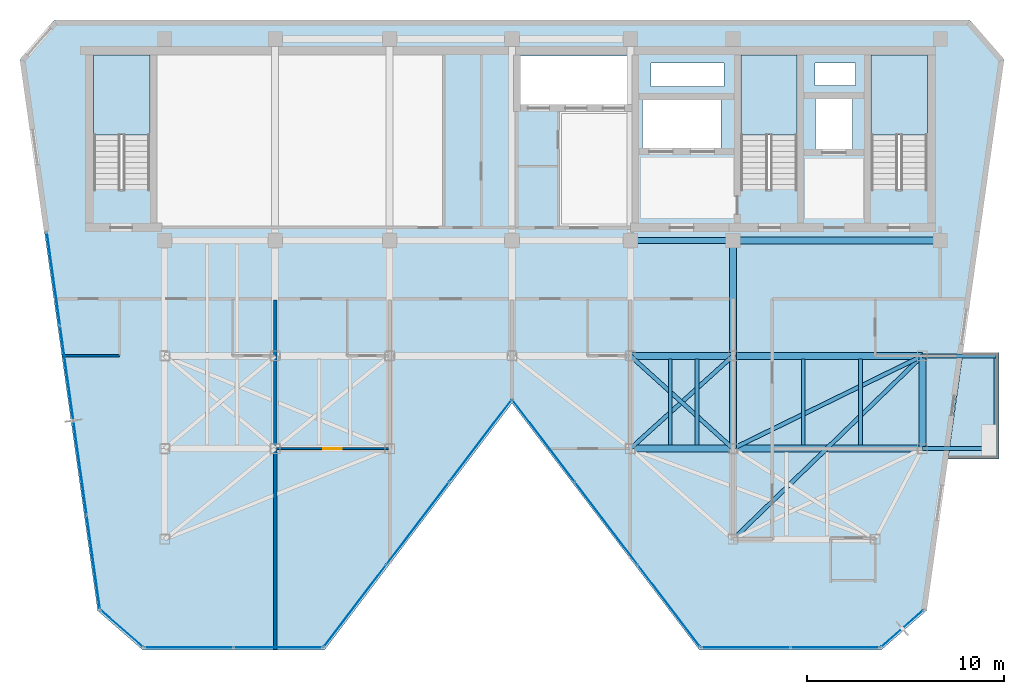
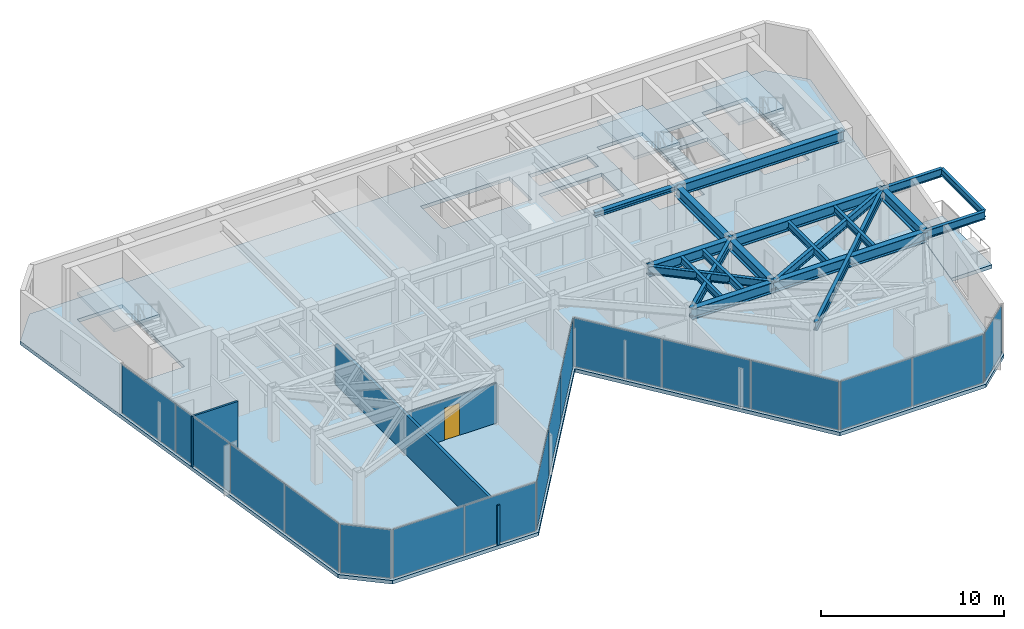
# One storey, part 15 of 20: 20 beams, 16 plates, 5 slabs, 3 walls, 1 door, 1 opening, 10 elements without a shape of their own.
"""IFC4 building model written with IfcOpenShell, lengths in metres."""

from ifc_helpers import new_model, si_unit, direction, frame, frame_2d, origin, origin_2d, place, context, subcontext, project, spatial, polyline, rectangle, i_section, outline, extrude, material, layer, layer_set, material_profile, profile_set, type_object, element, fill, aggregate, save


model = new_model("IFC4")

# Units and contexts
model_context = context("Model", 3, precision=1e-05, world=origin(), true_north=direction((0.0, 1.0)))
body_context = subcontext(model_context, "Body", "Model", "MODEL_VIEW")
ifc_project = project(units=[si_unit("LENGTHUNIT", "METRE"), si_unit("AREAUNIT", "SQUARE_METRE"), si_unit("VOLUMEUNIT", "CUBIC_METRE"), si_unit("PLANEANGLEUNIT", "RADIAN"), si_unit("MASSUNIT", "GRAM", prefix="KILO")], contexts=[model_context])

# Site, building, storey
site_placement = place(None, origin())
site = spatial("IfcSite", under=ifc_project, at=site_placement, CompositionType="ELEMENT")
building_placement = place(site_placement, origin())
building = spatial("IfcBuilding", under=site, at=building_placement, Name="Kravanh Interchange Tower", CompositionType="ELEMENT")
storey_placement = place(building_placement, frame((0.0, 0.0, 238.199951171875)))
storey = spatial("IfcBuildingStorey", under=building, at=storey_placement, Name="L57", CompositionType="ELEMENT", Elevation=238.199951171875)

# Beams
ifc_material_1 = material(Name="Structural Steel S355", Category="steel")
ifc_material_profile_1 = material_profile(ifc_material_1, i_section(OverallWidth=0.35498046875, OverallDepth=0.696044921875, WebThickness=0.015380859375, FlangeThickness=0.02490234375, FilletRadius=0.02392578125, at=origin_2d()), Name="W27X146")
ifc_profile_set_1 = profile_set([ifc_material_profile_1], Name="Structural Steel S355")
beam_type_1 = type_object("IfcBeamType", Name="Floor Beam W27X146 Structural Steel S355", PredefinedType="BEAM", material=ifc_profile_set_1)
beam_1_placement = place(storey_placement, frame((50.800048828125, 31.5, 3.011962890625), z_axis=(1.0, 0.0, 0.0), x_axis=(0.0, 1.0, 0.0)))
element("IfcBeam", 1, at=beam_1_placement, inside=storey, type_object=beam_type_1, Name="L57 Primary Floor Girder 6", PredefinedType="BEAM", context=body_context, shape_type="SweptSolid", body=[
    extrude(i_section(OverallWidth=0.35498046875, OverallDepth=0.696044921875, WebThickness=0.015380859375, FlangeThickness=0.02490234375, FilletRadius=0.02392578125, at=origin_2d()), origin(), (0.0, 0.0, 1.0), 5.199951171875),
])
beam_2_placement = place(storey_placement, frame((56.0, 31.5, 3.011962890625), z_axis=(0.0, -1.0, 0.0), x_axis=(1.0, 0.0, 0.0)))
element("IfcBeam", 2, at=beam_2_placement, inside=storey, type_object=beam_type_1, Name="L57 Primary Floor Girder 9", PredefinedType="BEAM", context=body_context, shape_type="SweptSolid", body=[
    extrude(i_section(OverallWidth=0.35498046875, OverallDepth=0.696044921875, WebThickness=0.015380859375, FlangeThickness=0.02490234375, FilletRadius=0.02392578125, at=origin_2d()), origin(), (0.0, 0.0, 1.0), 4.699951171875),
])
beam_3_placement = place(storey_placement, frame((56.0, 31.5, 3.011962890625), z_axis=(0.0, 1.0, 0.0), x_axis=(-1.0, 0.0, 0.0)))
element("IfcBeam", 3, at=beam_3_placement, inside=storey, type_object=beam_type_1, Name="L57 Primary Floor Girder 10", PredefinedType="BEAM", context=body_context, shape_type="SweptSolid", body=[
    extrude(i_section(OverallWidth=0.35498046875, OverallDepth=0.696044921875, WebThickness=0.015380859375, FlangeThickness=0.02490234375, FilletRadius=0.02392578125, at=origin_2d()), origin(), (0.0, 0.0, 1.0), 5.85009765625),
])
beam_4_placement = place(storey_placement, frame((56.0, 31.5, 3.011962890625), z_axis=(1.0, 0.0, 0.0), x_axis=(0.0, 1.0, 0.0)))
element("IfcBeam", 4, at=beam_4_placement, inside=storey, type_object=beam_type_1, Name="L57 Primary Floor Girder 12", PredefinedType="BEAM", context=body_context, shape_type="SweptSolid", body=[
    extrude(i_section(OverallWidth=0.35498046875, OverallDepth=0.696044921875, WebThickness=0.015380859375, FlangeThickness=0.02490234375, FilletRadius=0.02392578125, at=origin_2d()), origin(), (0.0, 0.0, 1.0), 9.60009765625),
])
beam_5_placement = place(storey_placement, frame((65.60009765625, 31.5, 3.011962890625), z_axis=(0.0, -1.0, 0.0), x_axis=(1.0, 0.0, 0.0)))
element("IfcBeam", 5, at=beam_5_placement, inside=storey, type_object=beam_type_1, Name="L57 Primary Floor Girder 13", PredefinedType="BEAM", context=body_context, shape_type="SweptSolid", body=[
    extrude(i_section(OverallWidth=0.35498046875, OverallDepth=0.696044921875, WebThickness=0.015380859375, FlangeThickness=0.02490234375, FilletRadius=0.02392578125, at=origin_2d()), origin(), (0.0, 0.0, 1.0), 4.699951171875),
])
beam_6_placement = place(storey_placement, frame((50.800048828125, 26.800048828125, 3.011962890625), z_axis=(1.0, 0.0, 0.0), x_axis=(0.0, 1.0, 0.0)))
element("IfcBeam", 6, at=beam_6_placement, inside=storey, type_object=beam_type_1, Name="L57 Primary Floor Girder 31", PredefinedType="BEAM", context=body_context, shape_type="SweptSolid", body=[
    extrude(i_section(OverallWidth=0.35498046875, OverallDepth=0.696044921875, WebThickness=0.015380859375, FlangeThickness=0.02490234375, FilletRadius=0.02392578125, at=origin_2d()), origin(), (0.0, 0.0, 1.0), 5.199951171875),
])
beam_7_placement = place(storey_placement, frame((56.0, 26.800048828125, 3.011962890625), z_axis=(1.0, 0.0, 0.0), x_axis=(0.0, 1.0, 0.0)))
element("IfcBeam", 7, at=beam_7_placement, inside=storey, type_object=beam_type_1, Name="L57 Primary Floor Girder 36", PredefinedType="BEAM", context=body_context, shape_type="SweptSolid", body=[
    extrude(i_section(OverallWidth=0.35498046875, OverallDepth=0.696044921875, WebThickness=0.015380859375, FlangeThickness=0.02490234375, FilletRadius=0.02392578125, at=origin_2d()), origin(), (0.0, 0.0, 1.0), 9.60009765625),
])
beam_8_placement = place(storey_placement, frame((66.5, 37.35009765625, 3.011962890625), z_axis=(-1.0, 0.0, 0.0), x_axis=(0.0, -1.0, 0.0)))
element("IfcBeam", 8, at=beam_8_placement, inside=storey, type_object=beam_type_1, Name="L57 Primary Floor Girder 47", PredefinedType="BEAM", context=body_context, shape_type="SweptSolid", body=[
    extrude(i_section(OverallWidth=0.35498046875, OverallDepth=0.696044921875, WebThickness=0.015380859375, FlangeThickness=0.02490234375, FilletRadius=0.02392578125, at=origin_2d()), origin(), (0.0, 0.0, 1.0), 10.5),
])
ifc_material_2 = material(Name="Structural Steel S355", Category="steel")
ifc_material_profile_2 = material_profile(ifc_material_2, i_section(OverallWidth=0.18994140625, OverallDepth=0.45703125, WebThickness=0.009033203125, FlangeThickness=0.014404296875, FilletRadius=0.01806640625, at=origin_2d()), Name="W18X50")
ifc_profile_set_2 = profile_set([ifc_material_profile_2], Name="Structural Steel S355")
beam_type_2 = type_object("IfcBeamType", Name="Floor Joist W18X50 Structural Steel S355", PredefinedType="JOIST", material=ifc_profile_set_2)
for number, where, z_axis, x_axis, name in (
    (9, (52.81494140625, 26.972412109375, 3.131591796875), (0.0, 1.0, 0.0), (-1.0, 0.0, 0.0), "L57 Secondary Floor Joist 7"),
    (10, (54.179931640625, 26.972412109375, 3.131591796875), (0.0, 1.0, 0.0), (-1.0, 0.0, 0.0), "L57 Secondary Floor Joist 8"),
    (11, (59.554931640625, 26.972412109375, 3.131591796875), (0.0, 1.0, 0.0), (-1.0, 0.0, 0.0), "L57 Secondary Floor Joist 9"),
    (12, (62.4599609375, 26.972412109375, 3.131591796875), (0.0, 1.0, 0.0), (-1.0, 0.0, 0.0), "L57 Secondary Floor Joist 10"),
):
    element("IfcBeam", number, at=place(storey_placement, frame(where, z_axis=z_axis, x_axis=x_axis)), inside=storey, type_object=beam_type_2, Name=name, PredefinedType="JOIST", context=body_context, shape_type="SweptSolid", body=[
        extrude(i_section(OverallWidth=0.18994140625, OverallDepth=0.45703125, WebThickness=0.009033203125, FlangeThickness=0.014404296875, FilletRadius=0.01806640625, at=origin_2d()), origin(), (0.0, 0.0, 1.0), 4.35498046875),
    ])
beam_9_placement = place(storey_placement, frame((69.330078125, 26.800048828125, 3.131591796875), z_axis=(0.0, 1.0, 0.0), x_axis=(-1.0, 0.0, 0.0)))
element("IfcBeam", 13, at=beam_9_placement, inside=storey, type_object=beam_type_2, Name="L57 Balcony Edge Tie Beam E", PredefinedType="JOIST", context=body_context, shape_type="SweptSolid", body=[
    extrude(i_section(OverallWidth=0.18994140625, OverallDepth=0.45703125, WebThickness=0.009033203125, FlangeThickness=0.014404296875, FilletRadius=0.01806640625, at=origin_2d()), origin(), (0.0, 0.0, 1.0), 4.699951171875),
])
ifc_material_3 = material(Name="Structural Steel S355", Category="steel")
ifc_material_profile_3 = material_profile(ifc_material_3, i_section(OverallWidth=0.304931640625, OverallDepth=0.306884765625, WebThickness=0.010009765625, FlangeThickness=0.015380859375, FilletRadius=0.014892578125, at=origin_2d()), Name="W12X65")
ifc_profile_set_3 = profile_set([ifc_material_profile_3], Name="Structural Steel S355")
beam_type_3 = type_object("IfcBeamType", Name="Floor Lintel W12X65 Structural Steel S355", PredefinedType="LINTEL", material=ifc_profile_set_3)
beam_10_placement = place(storey_placement, frame((50.800048828125, 37.35009765625, 3.20654296875), z_axis=(1.0, 0.0, 0.0), x_axis=(0.0, 1.0, 0.0)))
element("IfcBeam", 14, at=beam_10_placement, inside=storey, type_object=beam_type_3, Name="L57 Core Coupling Lintel 1", PredefinedType="LINTEL", context=body_context, shape_type="SweptSolid", body=[
    extrude(i_section(OverallWidth=0.304931640625, OverallDepth=0.306884765625, WebThickness=0.010009765625, FlangeThickness=0.015380859375, FilletRadius=0.014892578125, at=origin_2d()), origin(), (0.0, 0.0, 1.0), 5.199951171875),
])
ifc_material_4 = material(Name="Structural Steel S355", Category="steel")
ifc_material_profile_4 = material_profile(ifc_material_4, i_section(OverallWidth=0.2099609375, OverallDepth=0.537109375, WebThickness=0.010986328125, FlangeThickness=0.017333984375, FilletRadius=0.02001953125, at=origin_2d()), Name="W21X68")
ifc_profile_set_4 = profile_set([ifc_material_profile_4], Name="Structural Steel S355")
beam_type_4 = type_object("IfcBeamType", Name="Floor Spandrel W21X68 Structural Steel S355", PredefinedType="SPANDREL", material=ifc_profile_set_4)
for number, where, z_axis, x_axis, name in (
    (15, (50.800048828125, 31.5, 3.091552734375), (0.741874009795, -0.670539300557, 0.0), (0.670539300557, 0.741874009795, 0.0), "L57 Perimeter Spandrel 8"),
    (16, (56.0, 31.5, 3.091552734375), (-0.741874009795, -0.670539300557, 0.0), (0.670539300557, -0.741874009795, 0.0), "L57 Perimeter Spandrel 11"),
):
    element("IfcBeam", number, at=place(storey_placement, frame(where, z_axis=z_axis, x_axis=x_axis)), inside=storey, type_object=beam_type_4, Name=name, PredefinedType="SPANDREL", context=body_context, shape_type="SweptSolid", body=[
        extrude(i_section(OverallWidth=0.2099609375, OverallDepth=0.537109375, WebThickness=0.010986328125, FlangeThickness=0.017333984375, FilletRadius=0.02001953125, at=origin_2d()), origin(), (0.0, 0.0, 1.0), 7.00927734375),
    ])
beam_11_placement = place(storey_placement, frame((65.60009765625, 31.5, 3.091552734375), z_axis=(-0.898141688387, -0.439706160499, 0.0), x_axis=(0.439706160499, -0.898141688387, 0.0)))
element("IfcBeam", 17, at=beam_11_placement, inside=storey, type_object=beam_type_4, Name="L57 Perimeter Spandrel 15", PredefinedType="SPANDREL", context=body_context, shape_type="SweptSolid", body=[
    extrude(i_section(OverallWidth=0.2099609375, OverallDepth=0.537109375, WebThickness=0.010986328125, FlangeThickness=0.017333984375, FilletRadius=0.02001953125, at=origin_2d()), origin(), (0.0, 0.0, 1.0), 10.68896484375),
])
beam_12_placement = place(storey_placement, frame((65.60009765625, 31.5, 3.091552734375), z_axis=(-0.718241934329, -0.695793449072, 0.0), x_axis=(0.695793449072, -0.718241934329, 0.0)))
element("IfcBeam", 18, at=beam_12_placement, inside=storey, type_object=beam_type_4, Name="L57 Perimeter Spandrel 16", PredefinedType="SPANDREL", context=body_context, shape_type="SweptSolid", body=[
    extrude(i_section(OverallWidth=0.2099609375, OverallDepth=0.537109375, WebThickness=0.010986328125, FlangeThickness=0.017333984375, FilletRadius=0.02001953125, at=origin_2d()), origin(), (0.0, 0.0, 1.0), 13.3662109375),
])
for number, where, z_axis, x_axis, name in (
    (19, (65.60009765625, 26.800048828125, 3.091552734375), (1.0, 0.0, 0.0), (0.0, 1.0, 0.0), "L57 Balcony Cantilever Outrigger E1"),
    (20, (65.60009765625, 31.5, 3.091552734375), (1.0, 0.0, 0.0), (0.0, 1.0, 0.0), "L57 Balcony Cantilever Outrigger E2"),
):
    element("IfcBeam", number, at=place(storey_placement, frame(where, z_axis=z_axis, x_axis=x_axis)), inside=storey, type_object=beam_type_4, Name=name, PredefinedType="SPANDREL", context=body_context, shape_type="SweptSolid", body=[
        extrude(i_section(OverallWidth=0.2099609375, OverallDepth=0.537109375, WebThickness=0.010986328125, FlangeThickness=0.017333984375, FilletRadius=0.02001953125, at=origin_2d()), origin(), (0.0, 0.0, 1.0), 3.72998046875),
    ])

# Curtain wall, plates
ifc_material_5 = material(Name="Anodised Bronze Aluminium", Category="aluminium")
ifc_layer_1 = layer(ifc_material_5, 0.179931640625)
ifc_layer_set_1 = layer_set([ifc_layer_1], Name="Unitised Curtain Wall System CW-HTL Luxury Hotel")
curtain_wall_type = type_object("IfcCurtainWallType", Name="Unitised Curtain Wall System CW-HTL Luxury Hotel", PredefinedType="NOTDEFINED", material=ifc_layer_set_1)
curtain_wall_1_placement = place(storey_placement, origin())
curtain_wall_1 = element("IfcCurtainWall", 21, at=curtain_wall_1_placement, inside=storey, type_object=curtain_wall_type, Name="L57 Unitised Curtain Wall CW-L57-01", PredefinedType="NOTDEFINED")
ifc_material_6 = material(Name="Low-E Laminated Architectural Glass", Category="glass")
ifc_layer_2 = layer(ifc_material_6, 0.030029296875)
ifc_layer_set_2 = layer_set([ifc_layer_2], Name="Acoustic Laminated Glazing 30mm")
plate_type = type_object("IfcPlateType", Name="Acoustic Laminated Glazing 30mm", PredefinedType="CURTAIN_PANEL", material=ifc_layer_set_2)
plate_1_placement = place(storey_placement, frame((23.578857421875, 21.05126953125, 0.06005859375), z_axis=(0.0, 0.0, 1.0), x_axis=(-0.13917626751, 0.990267623707, 0.0)))
plate_1 = element("IfcPlate", 22, at=plate_1_placement, type_object=plate_type, Name="CW-HTL panel 1.1", PredefinedType="CURTAIN_PANEL", context=body_context, shape_type="SweptSolid", body=[
    extrude(rectangle(XDim=4.74658203125, YDim=0.030029296875, at=origin_2d()), origin(), (0.0, 0.0, 1.0), 3.239990234375),
])
plate_2_placement = place(storey_placement, frame((22.90771484375, 25.825927734375, 0.06005859375), z_axis=(0.0, 0.0, 1.0), x_axis=(-0.13917626751, 0.990267623707, 0.0)))
plate_2 = element("IfcPlate", 23, at=plate_2_placement, type_object=plate_type, Name="CW-HTL panel 2.1", PredefinedType="CURTAIN_PANEL", context=body_context, shape_type="SweptSolid", body=[
    extrude(rectangle(XDim=4.776611328125, YDim=0.030029296875, at=origin_2d()), origin(), (0.0, 0.0, 1.0), 3.239990234375),
])
plate_3_placement = place(storey_placement, frame((22.234619140625, 30.615478515625, 0.06005859375), z_axis=(0.0, 0.0, 1.0), x_axis=(-0.13917626751, 0.990267623707, 0.0)))
plate_3 = element("IfcPlate", 24, at=plate_3_placement, type_object=plate_type, Name="CW-HTL panel 3.1", PredefinedType="CURTAIN_PANEL", context=body_context, shape_type="SweptSolid", body=[
    extrude(rectangle(XDim=4.776611328125, YDim=0.030029296875, at=origin_2d()), origin(), (0.0, 0.0, 1.0), 3.239990234375),
])
plate_4_placement = place(storey_placement, frame((21.5634765625, 35.390380859375, 0.06005859375), z_axis=(0.0, 0.0, 1.0), x_axis=(-0.13917626751, 0.990267623707, 0.0)))
plate_4 = element("IfcPlate", 25, at=plate_4_placement, type_object=plate_type, Name="CW-HTL panel 4.1", PredefinedType="CURTAIN_PANEL", context=body_context, shape_type="SweptSolid", body=[
    extrude(rectangle(XDim=4.74658203125, YDim=0.030029296875, at=origin_2d()), origin(), (0.0, 0.0, 1.0), 3.239990234375),
])
aggregate(curtain_wall_1, [plate_1, plate_2, plate_3, plate_4])

# Curtain wall, plate
curtain_wall_2_placement = place(storey_placement, origin())
curtain_wall_2 = element("IfcCurtainWall", 26, at=curtain_wall_2_placement, inside=storey, type_object=curtain_wall_type, Name="L57 Unitised Curtain Wall CW-L57-02", PredefinedType="NOTDEFINED")
plate_5_placement = place(storey_placement, frame((64.5771484375, 17.680908203125, 0.06005859375), z_axis=(0.0, 0.0, 1.0), x_axis=(-0.75473192521, -0.656033323139, 0.0)))
plate_5 = element("IfcPlate", 27, at=plate_5_placement, type_object=plate_type, Name="CW-HTL panel 1.1", PredefinedType="CURTAIN_PANEL", context=body_context, shape_type="SweptSolid", body=[
    extrude(rectangle(XDim=2.80908203125, YDim=0.030029296875, at=origin_2d()), origin(), (0.0, 0.0, 1.0), 3.239990234375),
])
aggregate(curtain_wall_2, [plate_5])

# Curtain wall, plates
curtain_wall_3_placement = place(storey_placement, origin())
curtain_wall_3 = element("IfcCurtainWall", 28, at=curtain_wall_3_placement, inside=storey, type_object=curtain_wall_type, Name="L57 Unitised Curtain Wall CW-L57-03", PredefinedType="NOTDEFINED")
plate_6_placement = place(storey_placement, frame((61.1787109375, 16.719970703125, 0.06005859375), z_axis=(0.0, 0.0, 1.0), x_axis=(-1.0, 0.0, 0.0)))
plate_6 = element("IfcPlate", 29, at=plate_6_placement, type_object=plate_type, Name="CW-HTL panel 1.1", PredefinedType="CURTAIN_PANEL", context=body_context, shape_type="SweptSolid", body=[
    extrude(rectangle(XDim=4.466064453125, YDim=0.030029296875, at=origin_2d()), origin(), (0.0, 0.0, 1.0), 3.239990234375),
])
plate_7_placement = place(storey_placement, frame((56.652587890625, 16.719970703125, 0.06005859375), z_axis=(0.0, 0.0, 1.0), x_axis=(-1.0, 0.0, 0.0)))
plate_7 = element("IfcPlate", 30, at=plate_7_placement, type_object=plate_type, Name="CW-HTL panel 2.1", PredefinedType="CURTAIN_PANEL", context=body_context, shape_type="SweptSolid", body=[
    extrude(rectangle(XDim=4.466064453125, YDim=0.030029296875, at=origin_2d()), origin(), (0.0, 0.0, 1.0), 3.239990234375),
])
aggregate(curtain_wall_3, [plate_6, plate_7])

curtain_wall_4_placement = place(storey_placement, origin())
curtain_wall_4 = element("IfcCurtainWall", 31, at=curtain_wall_4_placement, inside=storey, type_object=curtain_wall_type, Name="L57 Unitised Curtain Wall CW-L57-04", PredefinedType="NOTDEFINED")
plate_8_placement = place(storey_placement, frame((52.757080078125, 18.828369140625, 0.06005859375), z_axis=(0.0, 0.0, 1.0), x_axis=(-0.605082946564, 0.79616243806, 0.0)))
plate_8 = element("IfcPlate", 32, at=plate_8_placement, type_object=plate_type, Name="CW-HTL panel 1.1", PredefinedType="CURTAIN_PANEL", context=body_context, shape_type="SweptSolid", body=[
    extrude(rectangle(XDim=5.17626953125, YDim=0.030029296875, at=origin_2d()), origin(), (0.0, 0.0, 1.0), 3.239990234375),
])
plate_9_placement = place(storey_placement, frame((49.579833984375, 23.009033203125, 0.06005859375), z_axis=(0.0, 0.0, 1.0), x_axis=(-0.605082946564, 0.79616243806, 0.0)))
plate_9 = element("IfcPlate", 33, at=plate_9_placement, type_object=plate_type, Name="CW-HTL panel 2.1", PredefinedType="CURTAIN_PANEL", context=body_context, shape_type="SweptSolid", body=[
    extrude(rectangle(XDim=5.206298828125, YDim=0.030029296875, at=origin_2d()), origin(), (0.0, 0.0, 1.0), 3.239990234375),
])
plate_10_placement = place(storey_placement, frame((46.40234375, 27.18994140625, 0.06005859375), z_axis=(0.0, 0.0, 1.0), x_axis=(-0.605082946564, 0.79616243806, 0.0)))
plate_10 = element("IfcPlate", 34, at=plate_10_placement, type_object=plate_type, Name="CW-HTL panel 3.1", PredefinedType="CURTAIN_PANEL", context=body_context, shape_type="SweptSolid", body=[
    extrude(rectangle(XDim=5.17626953125, YDim=0.030029296875, at=origin_2d()), origin(), (0.0, 0.0, 1.0), 3.239990234375),
])
aggregate(curtain_wall_4, [plate_8, plate_9, plate_10])

curtain_wall_5_placement = place(storey_placement, origin())
curtain_wall_5 = element("IfcCurtainWall", 35, at=curtain_wall_5_placement, inside=storey, type_object=curtain_wall_type, Name="L57 Unitised Curtain Wall CW-L57-05", PredefinedType="NOTDEFINED")
plate_11_placement = place(storey_placement, frame((43.19775390625, 27.18994140625, 0.06005859375), z_axis=(0.0, 0.0, 1.0), x_axis=(-0.605082946564, -0.79616243806, 0.0)))
plate_11 = element("IfcPlate", 36, at=plate_11_placement, type_object=plate_type, Name="CW-HTL panel 1.1", PredefinedType="CURTAIN_PANEL", context=body_context, shape_type="SweptSolid", body=[
    extrude(rectangle(XDim=5.17626953125, YDim=0.030029296875, at=origin_2d()), origin(), (0.0, 0.0, 1.0), 3.239990234375),
])
plate_12_placement = place(storey_placement, frame((40.020263671875, 23.009033203125, 0.06005859375), z_axis=(0.0, 0.0, 1.0), x_axis=(-0.605082946564, -0.79616243806, 0.0)))
plate_12 = element("IfcPlate", 37, at=plate_12_placement, type_object=plate_type, Name="CW-HTL panel 2.1", PredefinedType="CURTAIN_PANEL", context=body_context, shape_type="SweptSolid", body=[
    extrude(rectangle(XDim=5.206298828125, YDim=0.030029296875, at=origin_2d()), origin(), (0.0, 0.0, 1.0), 3.239990234375),
])
plate_13_placement = place(storey_placement, frame((36.8427734375, 18.828369140625, 0.06005859375), z_axis=(0.0, 0.0, 1.0), x_axis=(-0.605082946564, -0.79616243806, 0.0)))
plate_13 = element("IfcPlate", 38, at=plate_13_placement, type_object=plate_type, Name="CW-HTL panel 3.1", PredefinedType="CURTAIN_PANEL", context=body_context, shape_type="SweptSolid", body=[
    extrude(rectangle(XDim=5.17626953125, YDim=0.030029296875, at=origin_2d()), origin(), (0.0, 0.0, 1.0), 3.239990234375),
])
aggregate(curtain_wall_5, [plate_11, plate_12, plate_13])

curtain_wall_6_placement = place(storey_placement, origin())
curtain_wall_6 = element("IfcCurtainWall", 39, at=curtain_wall_6_placement, inside=storey, type_object=curtain_wall_type, Name="L57 Unitised Curtain Wall CW-L57-06", PredefinedType="NOTDEFINED")
plate_14_placement = place(storey_placement, frame((32.947509765625, 16.719970703125, 0.06005859375), z_axis=(0.0, 0.0, 1.0), x_axis=(-1.0, 0.0, 0.0)))
plate_14 = element("IfcPlate", 40, at=plate_14_placement, type_object=plate_type, Name="CW-HTL panel 1.1", PredefinedType="CURTAIN_PANEL", context=body_context, shape_type="SweptSolid", body=[
    extrude(rectangle(XDim=4.466064453125, YDim=0.030029296875, at=origin_2d()), origin(), (0.0, 0.0, 1.0), 3.239990234375),
])
plate_15_placement = place(storey_placement, frame((28.42138671875, 16.719970703125, 0.06005859375), z_axis=(0.0, 0.0, 1.0), x_axis=(-1.0, 0.0, 0.0)))
plate_15 = element("IfcPlate", 41, at=plate_15_placement, type_object=plate_type, Name="CW-HTL panel 2.1", PredefinedType="CURTAIN_PANEL", context=body_context, shape_type="SweptSolid", body=[
    extrude(rectangle(XDim=4.466064453125, YDim=0.030029296875, at=origin_2d()), origin(), (0.0, 0.0, 1.0), 3.239990234375),
])
aggregate(curtain_wall_6, [plate_14, plate_15])

# Curtain wall, plate
curtain_wall_7_placement = place(storey_placement, origin())
curtain_wall_7 = element("IfcCurtainWall", 42, at=curtain_wall_7_placement, inside=storey, type_object=curtain_wall_type, Name="L57 Unitised Curtain Wall CW-L57-07", PredefinedType="NOTDEFINED")
plate_16_placement = place(storey_placement, frame((25.02294921875, 17.680908203125, 0.06005859375), z_axis=(0.0, 0.0, 1.0), x_axis=(-0.75473192521, 0.656033323139, 0.0)))
plate_16 = element("IfcPlate", 43, at=plate_16_placement, type_object=plate_type, Name="CW-HTL panel 1.1", PredefinedType="CURTAIN_PANEL", context=body_context, shape_type="SweptSolid", body=[
    extrude(rectangle(XDim=2.80908203125, YDim=0.030029296875, at=origin_2d()), origin(), (0.0, 0.0, 1.0), 3.239990234375),
])
aggregate(curtain_wall_7, [plate_16])

# Slab
ifc_material_7 = material(Name="Concrete C50/60", Category="concrete")
ifc_layer_3 = layer(ifc_material_7, 0.239990234375)
ifc_layer_set_3 = layer_set([ifc_layer_3], Name="Composite Floor Slab Concrete C50/60 240mm")
slab_type_1 = type_object("IfcSlabType", Name="Composite Floor Slab Concrete C50/60 240mm", PredefinedType="FLOOR", material=ifc_layer_set_3)
slab_1_placement = place(storey_placement, frame((0.0, 0.0, -0.239990234375)))
element("IfcSlab", 44, at=slab_1_placement, inside=storey, type_object=slab_type_1, Name="L57 Structural Floor Slab", PredefinedType="FLOOR", context=body_context, shape_type="SweptSolid", body=[
    extrude(outline(polyline([(23.804931640625, 18.58056640625), (26.083251953125, 16.60009765625), (35.300048828125, 16.60009765625), (44.800048828125, 29.10009765625), (54.300048828125, 16.60009765625), (63.5166015625, 16.60009765625), (65.795166015625, 18.58056640625), (69.7216796875, 46.51953125), (68.0, 48.5), (21.60009765625, 48.5), (19.87841796875, 46.51953125), (23.804931640625, 18.58056640625)]), holes=[polyline([(65.85009765625, 39.925048828125), (65.85009765625, 46.75), (63.0, 46.75), (63.0, 39.925048828125), (65.85009765625, 39.925048828125)]), polyline([(59.25, 39.925048828125), (59.25, 46.75), (56.39990234375, 46.75), (56.39990234375, 39.925048828125), (59.25, 39.925048828125)]), polyline([(26.449951171875, 39.925048828125), (26.449951171875, 46.75), (23.60009765625, 46.75), (23.60009765625, 39.925048828125), (26.449951171875, 39.925048828125)]), polyline([(45.239990234375, 44.219970703125), (50.840087890625, 44.219970703125), (50.840087890625, 46.699951171875), (45.239990234375, 46.699951171875), (45.239990234375, 44.219970703125)]), polyline([(51.419921875, 42.02001953125), (55.3798828125, 42.02001953125), (55.3798828125, 44.47998046875), (51.419921875, 44.47998046875), (51.419921875, 42.02001953125)]), polyline([(60.179931640625, 41.97998046875), (62.06005859375, 41.97998046875), (62.06005859375, 44.52001953125), (60.179931640625, 44.52001953125), (60.179931640625, 41.97998046875)]), polyline([(60.14990234375, 45.199951171875), (62.199951171875, 45.199951171875), (62.199951171875, 46.35009765625), (60.14990234375, 46.35009765625), (60.14990234375, 45.199951171875)]), polyline([(51.85009765625, 45.14990234375), (55.550048828125, 45.14990234375), (55.550048828125, 46.35009765625), (51.85009765625, 46.35009765625), (51.85009765625, 45.14990234375)])]), origin(), (0.0, 0.0, 1.0), 0.239990234375),
])

# Stair, slab
ifc_material_8 = material(Name="Concrete C50/60", Category="concrete")
stair_type = type_object("IfcStairType", Name="Core Fire Exit Dogleg Stair Concrete C50/60", PredefinedType="HALF_TURN_STAIR", material=ifc_material_8)
stair_1_placement = place(storey_placement, origin())
stair_1 = element("IfcStair", 45, at=stair_1_placement, inside=storey, type_object=stair_type, Name="L57 Exit Stair ST1", PredefinedType="HALF_TURN_STAIR")
ifc_material_9 = material(Name="Concrete C50/60", Category="concrete")
ifc_layer_4 = layer(ifc_material_9, 0.199951171875)
ifc_layer_set_4 = layer_set([ifc_layer_4], Name="Concrete C50/60 Stair Half-Landing Slab 200mm")
slab_type_2 = type_object("IfcSlabType", Name="Concrete C50/60 Stair Half-Landing Slab 200mm", PredefinedType="LANDING", material=ifc_layer_set_4)
slab_2_placement = place(storey_placement, frame((0.0, 0.0, 1.60009765625)))
slab_2 = element("IfcSlab", 46, at=slab_2_placement, type_object=slab_type_2, Name="ST1 landing 1", PredefinedType="LANDING", context=body_context, shape_type="SweptSolid", body=[
    extrude(outline(polyline([(65.85009765625, 42.699951171875), (65.85009765625, 46.75), (63.0, 46.75), (63.0, 42.699951171875), (65.85009765625, 42.699951171875)])), origin(), (0.0, 0.0, 1.0), 0.199951171875),
])
aggregate(stair_1, [slab_2])

stair_2_placement = place(storey_placement, origin())
stair_2 = element("IfcStair", 47, at=stair_2_placement, inside=storey, type_object=stair_type, Name="L57 Exit Stair ST2", PredefinedType="HALF_TURN_STAIR")
slab_3_placement = place(storey_placement, frame((0.0, 0.0, 1.60009765625)))
slab_3 = element("IfcSlab", 48, at=slab_3_placement, type_object=slab_type_2, Name="ST2 landing 1", PredefinedType="LANDING", context=body_context, shape_type="SweptSolid", body=[
    extrude(outline(polyline([(59.25, 42.699951171875), (59.25, 46.75), (56.39990234375, 46.75), (56.39990234375, 42.699951171875), (59.25, 42.699951171875)])), origin(), (0.0, 0.0, 1.0), 0.199951171875),
])
aggregate(stair_2, [slab_3])

stair_3_placement = place(storey_placement, origin())
stair_3 = element("IfcStair", 49, at=stair_3_placement, inside=storey, type_object=stair_type, Name="L57 Exit Stair ST3", PredefinedType="HALF_TURN_STAIR")
slab_4_placement = place(storey_placement, frame((0.0, 0.0, 1.60009765625)))
slab_4 = element("IfcSlab", 50, at=slab_4_placement, type_object=slab_type_2, Name="ST3 landing 1", PredefinedType="LANDING", context=body_context, shape_type="SweptSolid", body=[
    extrude(outline(polyline([(26.449951171875, 42.699951171875), (26.449951171875, 46.75), (23.60009765625, 46.75), (23.60009765625, 42.699951171875), (26.449951171875, 42.699951171875)])), origin(), (0.0, 0.0, 1.0), 0.199951171875),
])
aggregate(stair_3, [slab_4])

# Slab
ifc_material_10 = material(Name="Concrete C50/60", Category="concrete")
ifc_layer_5 = layer(ifc_material_10, 0.199951171875)
ifc_layer_set_5 = layer_set([ifc_layer_5], Name="Planted Tree Balcony Slab Concrete C50/60 200mm")
slab_type_3 = type_object("IfcSlabType", Name="Planted Tree Balcony Slab Concrete C50/60 200mm", PredefinedType="USERDEFINED", material=ifc_layer_set_5)
slab_5_placement = place(storey_placement, frame((0.0, 0.0, -0.239990234375)))
element("IfcSlab", 51, at=slab_5_placement, inside=storey, type_object=slab_type_3, Name="L57 East Tree Planter Balcony Slab", ObjectType="BALCONY", PredefinedType="USERDEFINED", context=body_context, shape_type="SweptSolid", body=[
    extrude(outline(polyline([(69.485107421875, 31.669921875), (69.485107421875, 26.27001953125), (66.890869140625, 26.27001953125), (67.64990234375, 31.669921875), (69.485107421875, 31.669921875)])), origin(), (0.0, 0.0, 1.0), 0.239990234375),
])

# Wall
ifc_material_11 = material(Name="Double Acoustic Gypsum Board and Mineral Wool")
ifc_layer_6 = layer(ifc_material_11, 0.1201171875)
ifc_layer_set_6 = layer_set([ifc_layer_6], Name="Acoustic Office Drywall Partition 120mm")
wall_type_1 = type_object("IfcWallType", Name="Acoustic Office Drywall Partition 120mm", PredefinedType="PARTITIONING", material=ifc_layer_set_6)
wall_1_placement = place(storey_placement, frame((22.00439453125, 31.5, 0.0), z_axis=(0.0, 0.0, 1.0), x_axis=(1.0, 0.0, 0.0)))
element("IfcWall", 52, at=wall_1_placement, inside=storey, type_object=wall_type_1, Name="L57 Interior Partition 16", PredefinedType="PARTITIONING", context=body_context, shape_type="SweptSolid", body=[
    extrude(rectangle(XDim=2.91552734375, YDim=0.1201171875, at=frame_2d((1.457763671875, 0.0))), origin(), (0.0, 0.0, 1.0), 3.360107421875),
])

# Wall, opening, door
ifc_material_12 = material(Name="Moisture-Resistant Gypsum Board and Mineral Wool")
ifc_layer_7 = layer(ifc_material_12, 0.10009765625)
ifc_layer_set_7 = layer_set([ifc_layer_7], Name="En-Suite Moisture-Resistant Partition 100mm")
wall_type_2 = type_object("IfcWallType", Name="En-Suite Moisture-Resistant Partition 100mm", PredefinedType="PARTITIONING", material=ifc_layer_set_7)
wall_2_placement = place(storey_placement, frame((32.867919921875, 26.800048828125, 0.0), z_axis=(0.0, 0.0, 1.0), x_axis=(1.0, 0.0, 0.0)))
wall_2 = element("IfcWall", 53, at=wall_2_placement, inside=storey, type_object=wall_type_2, Name="L57 Interior Partition 27", PredefinedType="PARTITIONING", context=body_context, shape_type="SweptSolid", body=[
    extrude(rectangle(XDim=5.6640625, YDim=0.10009765625, at=frame_2d((2.83203125, 0.0))), origin(), (0.0, 0.0, 1.0), 2.6640625),
])
opening_placement = place(wall_2_placement, frame((2.35693359375, 0.0, 0.0)))
opening = element("IfcOpeningElement", 54, at=opening_placement, cuts=wall_2, Name="Opening D-95", PredefinedType="OPENING", context=body_context, shape_type="SweptSolid", body=[
    extrude(rectangle(XDim=0.949951171875, YDim=2.14990234375, at=frame_2d((0.47509765625, 1.074951171875))), frame((0.0, 0.06005859375, 0.0), z_axis=(0.0, -1.0, 0.0), x_axis=(1.0, 0.0, 0.0)), (0.0, 0.0, 1.0), 0.1201171875),
])
ifc_material_13 = material(Name="Laminate Solid-Core Timber", Category="wood")
door_type = type_object("IfcDoorType", Name="Accessible Restroom Door 950x2150", OperationType="NOTDEFINED", PredefinedType="DOOR", material=ifc_material_13)
door_placement = place(opening_placement, origin())
door = element("IfcDoor", 55, at=door_placement, inside=storey, type_object=door_type, Name="L57 Sunroom Alcove Inner Door", OperationType="SINGLE_SWING_LEFT", OverallHeight=2.14990234375, OverallWidth=0.949951171875, PredefinedType="DOOR", context=body_context, shape_type="SweptSolid", body=[
    extrude(rectangle(XDim=0.949951171875, YDim=2.14990234375, at=frame_2d((0.47509765625, 1.074951171875))), frame((0.0, 0.02490234375, 0.0), z_axis=(0.0, -1.0, 0.0), x_axis=(1.0, 0.0, 0.0)), (0.0, 0.0, 1.0), 0.050048828125),
])
fill(opening, door)

# Wall
ifc_material_14 = material(Name="Autoclaved Aerated Concrete C30/37 Blockwork", Category="masonry")
ifc_layer_8 = layer(ifc_material_14, 0.179931640625)
ifc_layer_set_8 = layer_set([ifc_layer_8], Name="Fire-Rated Lobby and Corridor Wall Concrete C30/37 180mm")
wall_type_3 = type_object("IfcWallType", Name="Fire-Rated Lobby and Corridor Wall Concrete C30/37 180mm", PredefinedType="STANDARD", material=ifc_layer_set_8)
wall_3_placement = place(storey_placement, frame((32.800048828125, 16.614990234375, 0.0), z_axis=(0.0, 0.0, 1.0), x_axis=(0.0, 1.0, 0.0)))
element("IfcWall", 56, at=wall_3_placement, inside=storey, type_object=wall_type_3, Name="L57 Interior Partition 26", PredefinedType="STANDARD", context=body_context, shape_type="SweptSolid", body=[
    extrude(rectangle(XDim=17.717041015625, YDim=0.179931640625, at=frame_2d((8.8583984375, 0.0))), origin(), (0.0, 0.0, 1.0), 2.6640625),
])

save(model, "model.ifc")
